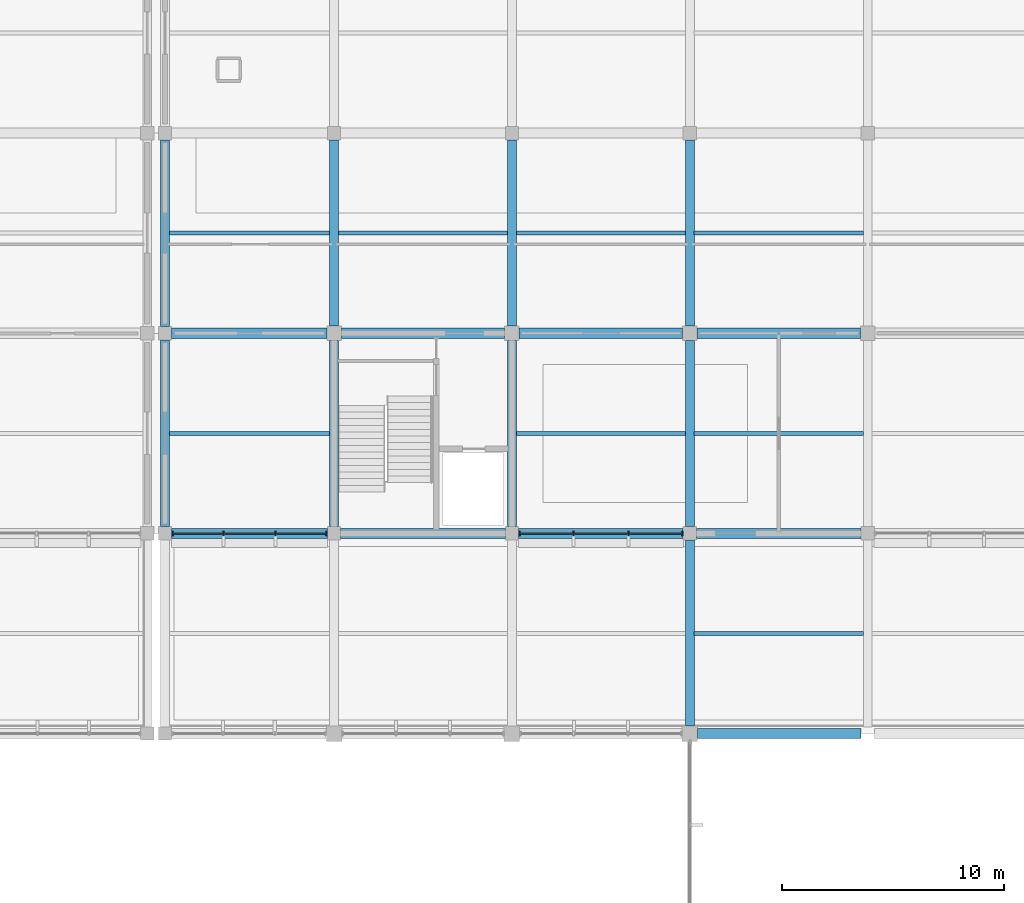
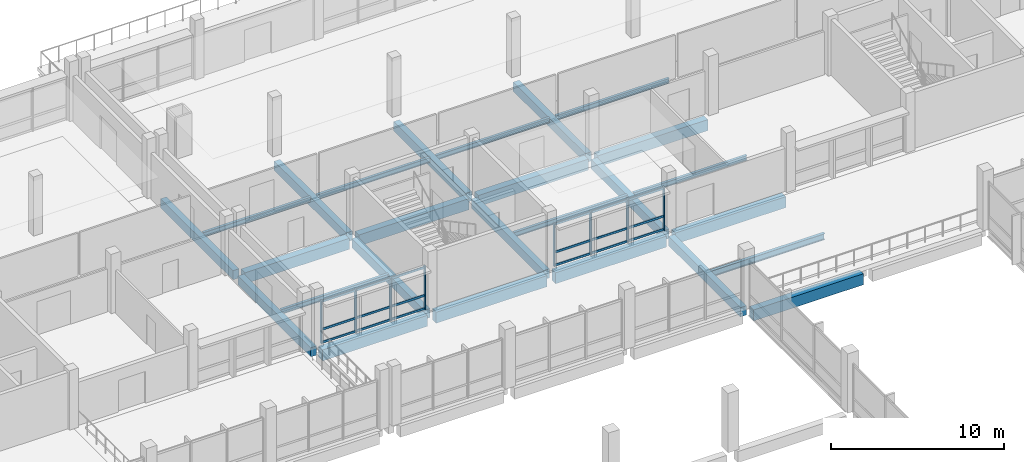
# One storey, part 24 of 70: 26 beams, 26 members, 2 elements without a shape of their own.
"""IFC4 building model written with IfcOpenShell, lengths in metres."""

from ifc_helpers import new_model, si_unit, direction, frame, origin, origin_2d, place, context, subcontext, project, spatial, rectangle, i_section, extrude, material, material_profile, profile_set, type_object, element, aggregate, save


model = new_model("IFC4")

# Units and contexts
model_context = context("Model", 3, precision=1e-05, world=origin(), true_north=direction((0.0, 1.0)))
body_context = subcontext(model_context, "Body", "Model", "MODEL_VIEW")
ifc_project = project(units=[si_unit("LENGTHUNIT", "METRE"), si_unit("AREAUNIT", "SQUARE_METRE"), si_unit("VOLUMEUNIT", "CUBIC_METRE"), si_unit("PLANEANGLEUNIT", "RADIAN"), si_unit("MASSUNIT", "GRAM", prefix="KILO"), si_unit("THERMODYNAMICTEMPERATUREUNIT", "KELVIN"), si_unit("POWERUNIT", "WATT")], contexts=[model_context])

# Site, building, storey
site_placement = place(None, origin())
site = spatial("IfcSite", under=ifc_project, at=site_placement, CompositionType="ELEMENT")
building_placement = place(site_placement, origin())
building = spatial("IfcBuilding", under=site, at=building_placement, Name="Kronsvod Quay Wholesale Market", CompositionType="ELEMENT")
storey_placement = place(building_placement, frame((0.0, 0.0, 9.0)))
storey = spatial("IfcBuildingStorey", under=building, at=storey_placement, Name="L02", CompositionType="ELEMENT", Elevation=9.0)

# Beams
ifc_material_1 = material(Name="Precast concrete C40/50", Category="concrete")
ifc_material_profile_1 = material_profile(ifc_material_1, rectangle(XDim=0.39990234375, YDim=0.64990234375, at=origin_2d()), Name="PCB400x650")
ifc_profile_set_1 = profile_set([ifc_material_profile_1], Name="Precast concrete C40/50")
beam_type_1 = type_object("IfcBeamType", Name="Beam_PCB400x650", PredefinedType="BEAM", material=ifc_profile_set_1)
for number, where, z_axis, x_axis, name in (
    (1, (64.39990234375, 99.300048828125, -0.635009765625), (0.0, 1.0, 0.0), (-1.0, 0.0, 0.0), "BMY-L02-644-990"),
    (2, (64.39990234375, 108.300048828125, -0.635009765625), (0.0, 1.0, 0.0), (-1.0, 0.0, 0.0), "BMY-L02-644-1080"),
):
    element("IfcBeam", number, at=place(storey_placement, frame(where, z_axis=z_axis, x_axis=x_axis)), inside=storey, type_object=beam_type_1, Name=name, PredefinedType="BEAM", context=body_context, shape_type="SweptSolid", body=[
        extrude(rectangle(XDim=0.39990234375, YDim=0.64990234375, at=origin_2d()), origin(), (0.0, 0.0, 1.0), 8.39990234375),
    ])
for number, where, z_axis, x_axis, name in (
    (3, (72.0, 99.300048828125, -0.635009765625), (0.0, 1.0, 0.0), (-1.0, 0.0, 0.0), "BMY-L02-720-990"),
    (4, (72.0, 108.324951171875, -0.635009765625), (0.0, 1.0, 0.0), (-1.0, 0.0, 0.0), "BMY-L02-720-1080"),
    (5, (80.0, 99.300048828125, -0.635009765625), (0.0, 1.0, 0.0), (-1.0, 0.0, 0.0), "BMY-L02-800-990"),
    (6, (80.0, 108.324951171875, -0.635009765625), (0.0, 1.0, 0.0), (-1.0, 0.0, 0.0), "BMY-L02-800-1080"),
):
    element("IfcBeam", number, at=place(storey_placement, frame(where, z_axis=z_axis, x_axis=x_axis)), inside=storey, type_object=beam_type_1, Name=name, PredefinedType="BEAM", context=body_context, shape_type="SweptSolid", body=[
        extrude(rectangle(XDim=0.39990234375, YDim=0.64990234375, at=origin_2d()), origin(), (0.0, 0.0, 1.0), 8.375),
    ])
beam_1_placement = place(storey_placement, frame((88.0, 90.35009765625, -0.635009765625), z_axis=(0.0, 1.0, 0.0), x_axis=(-1.0, 0.0, 0.0)))
element("IfcBeam", 7, at=beam_1_placement, inside=storey, type_object=beam_type_1, Name="BMY-L02-880-900", PredefinedType="BEAM", context=body_context, shape_type="SweptSolid", body=[
    extrude(rectangle(XDim=0.39990234375, YDim=0.64990234375, at=origin_2d()), origin(), (0.0, 0.0, 1.0), 8.349853515625),
])
for number, where, z_axis, x_axis, name in (
    (8, (88.0, 99.300048828125, -0.635009765625), (0.0, 1.0, 0.0), (-1.0, 0.0, 0.0), "BMY-L02-880-990"),
    (9, (88.0, 108.324951171875, -0.635009765625), (0.0, 1.0, 0.0), (-1.0, 0.0, 0.0), "BMY-L02-880-1080"),
):
    element("IfcBeam", number, at=place(storey_placement, frame(where, z_axis=z_axis, x_axis=x_axis)), inside=storey, type_object=beam_type_1, Name=name, PredefinedType="BEAM", context=body_context, shape_type="SweptSolid", body=[
        extrude(rectangle(XDim=0.39990234375, YDim=0.64990234375, at=origin_2d()), origin(), (0.0, 0.0, 1.0), 8.375),
    ])
ifc_material_2 = material(Name="Precast concrete C40/50", Category="concrete")
ifc_material_profile_2 = material_profile(ifc_material_2, rectangle(XDim=0.4599609375, YDim=0.780029296875, at=origin_2d()), Name="PB-03")
ifc_profile_set_2 = profile_set([ifc_material_profile_2], Name="Precast concrete C40/50")
beam_type_2 = type_object("IfcBeamType", Name="Beam_PCB460x780", PredefinedType="BEAM", material=ifc_profile_set_2)
beam_2_placement = place(storey_placement, frame((88.35009765625, 90.0, -0.699951171875), z_axis=(1.0, 0.0, 0.0), x_axis=(0.0, 1.0, 0.0)))
element("IfcBeam", 10, at=beam_2_placement, inside=storey, type_object=beam_type_2, Name="BMX-L02-880-900", PredefinedType="BEAM", context=body_context, shape_type="SweptSolid", body=[
    extrude(rectangle(XDim=0.4599609375, YDim=0.780029296875, at=origin_2d()), origin(), (0.0, 0.0, 1.0), 7.349853515625),
])
beam_3_placement = place(storey_placement, frame((64.699951171875, 99.0, -0.699951171875), z_axis=(1.0, 0.0, 0.0), x_axis=(0.0, 1.0, 0.0)))
element("IfcBeam", 11, at=beam_3_placement, inside=storey, type_object=beam_type_2, Name="BMX-L02-644-990", PredefinedType="BEAM", context=body_context, shape_type="SweptSolid", body=[
    extrude(rectangle(XDim=0.4599609375, YDim=0.780029296875, at=origin_2d()), origin(), (0.0, 0.0, 1.0), 7.0),
])
for number, where, z_axis, x_axis, name in (
    (12, (72.300048828125, 99.0, -0.699951171875), (1.0, 0.0, 0.0), (0.0, 1.0, 0.0), "BMX-L02-720-990"),
    (13, (80.300048828125, 99.0, -0.699951171875), (1.0, 0.0, 0.0), (0.0, 1.0, 0.0), "BMX-L02-800-990"),
    (14, (88.300048828125, 99.0, -0.699951171875), (1.0, 0.0, 0.0), (0.0, 1.0, 0.0), "BMX-L02-880-990"),
):
    element("IfcBeam", number, at=place(storey_placement, frame(where, z_axis=z_axis, x_axis=x_axis)), inside=storey, type_object=beam_type_2, Name=name, PredefinedType="BEAM", context=body_context, shape_type="SweptSolid", body=[
        extrude(rectangle(XDim=0.4599609375, YDim=0.780029296875, at=origin_2d()), origin(), (0.0, 0.0, 1.0), 7.39990234375),
    ])
beam_4_placement = place(storey_placement, frame((64.699951171875, 108.0, -0.699951171875), z_axis=(1.0, 0.0, 0.0), x_axis=(0.0, 1.0, 0.0)))
element("IfcBeam", 15, at=beam_4_placement, inside=storey, type_object=beam_type_2, Name="BMX-L02-644-1080", PredefinedType="BEAM", context=body_context, shape_type="SweptSolid", body=[
    extrude(rectangle(XDim=0.4599609375, YDim=0.780029296875, at=origin_2d()), origin(), (0.0, 0.0, 1.0), 6.97509765625),
])
for number, where, z_axis, x_axis, name in (
    (16, (72.324951171875, 108.0, -0.699951171875), (1.0, 0.0, 0.0), (0.0, 1.0, 0.0), "BMX-L02-720-1080"),
    (17, (80.324951171875, 108.0, -0.699951171875), (1.0, 0.0, 0.0), (0.0, 1.0, 0.0), "BMX-L02-800-1080"),
    (18, (88.324951171875, 108.0, -0.699951171875), (1.0, 0.0, 0.0), (0.0, 1.0, 0.0), "BMX-L02-880-1080"),
):
    element("IfcBeam", number, at=place(storey_placement, frame(where, z_axis=z_axis, x_axis=x_axis)), inside=storey, type_object=beam_type_2, Name=name, PredefinedType="BEAM", context=body_context, shape_type="SweptSolid", body=[
        extrude(rectangle(XDim=0.4599609375, YDim=0.780029296875, at=origin_2d()), origin(), (0.0, 0.0, 1.0), 7.35009765625),
    ])
ifc_material_3 = material(Name="Steel S355", Category="steel")
ifc_material_profile_3 = material_profile(ifc_material_3, i_section(OverallWidth=0.198974609375, OverallDepth=0.446044921875, WebThickness=0.008056640625, FlangeThickness=0.011962890625, FilletRadius=0.01806640625, at=origin_2d()), Name="45B1")
ifc_profile_set_3 = profile_set([ifc_material_profile_3], Name="Steel S355")
beam_type_3 = type_object("IfcBeamType", Name="Beam_Steel45B1", PredefinedType="BEAM", material=ifc_profile_set_3)
beam_5_placement = place(storey_placement, frame((88.195068359375, 94.5, -0.532958984375), z_axis=(1.0, 0.0, 0.0), x_axis=(0.0, 1.0, 0.0)))
element("IfcBeam", 19, at=beam_5_placement, inside=storey, type_object=beam_type_3, Name="JSTX-L02-880-900", PredefinedType="BEAM", context=body_context, shape_type="SweptSolid", body=[
    extrude(i_section(OverallWidth=0.198974609375, OverallDepth=0.446044921875, WebThickness=0.008056640625, FlangeThickness=0.011962890625, FilletRadius=0.01806640625, at=origin_2d()), origin(), (0.0, 0.0, 1.0), 7.60986328125),
])
ifc_material_4 = material(Name="Steel S355", Category="steel")
ifc_material_profile_4 = material_profile(ifc_material_4, i_section(OverallWidth=0.174072265625, OverallDepth=0.345947265625, WebThickness=0.006103515625, FlangeThickness=0.009033203125, FilletRadius=0.013916015625, at=origin_2d()), Name="35B1")
ifc_profile_set_4 = profile_set([ifc_material_profile_4], Name="Steel S355")
beam_type_4 = type_object("IfcBeamType", Name="Joist_Steel35B1", PredefinedType="JOIST", material=ifc_profile_set_4)
for number, where, z_axis, x_axis, name in (
    (20, (64.594970703125, 103.5, -0.423095703125), (1.0, 0.0, 0.0), (0.0, 1.0, 0.0), "JSTX-L02-644-990"),
    (21, (64.594970703125, 112.5, -0.423095703125), (1.0, 0.0, 0.0), (0.0, 1.0, 0.0), "JSTX-L02-644-1080"),
):
    element("IfcBeam", number, at=place(storey_placement, frame(where, z_axis=z_axis, x_axis=x_axis)), inside=storey, type_object=beam_type_4, Name=name, PredefinedType="JOIST", context=body_context, shape_type="SweptSolid", body=[
        extrude(i_section(OverallWidth=0.174072265625, OverallDepth=0.345947265625, WebThickness=0.006103515625, FlangeThickness=0.009033203125, FilletRadius=0.013916015625, at=origin_2d()), origin(), (0.0, 0.0, 1.0), 7.2099609375),
    ])
for number, where, z_axis, x_axis, name in (
    (22, (72.195068359375, 112.5, -0.423095703125), (1.0, 0.0, 0.0), (0.0, 1.0, 0.0), "JSTX-L02-720-1080"),
    (23, (80.195068359375, 103.5, -0.423095703125), (1.0, 0.0, 0.0), (0.0, 1.0, 0.0), "JSTX-L02-800-990"),
    (24, (80.195068359375, 112.5, -0.423095703125), (1.0, 0.0, 0.0), (0.0, 1.0, 0.0), "JSTX-L02-800-1080"),
    (25, (88.195068359375, 103.5, -0.423095703125), (1.0, 0.0, 0.0), (0.0, 1.0, 0.0), "JSTX-L02-880-990"),
    (26, (88.195068359375, 112.5, -0.423095703125), (1.0, 0.0, 0.0), (0.0, 1.0, 0.0), "JSTX-L02-880-1080"),
):
    element("IfcBeam", number, at=place(storey_placement, frame(where, z_axis=z_axis, x_axis=x_axis)), inside=storey, type_object=beam_type_4, Name=name, PredefinedType="JOIST", context=body_context, shape_type="SweptSolid", body=[
        extrude(i_section(OverallWidth=0.174072265625, OverallDepth=0.345947265625, WebThickness=0.006103515625, FlangeThickness=0.009033203125, FilletRadius=0.013916015625, at=origin_2d()), origin(), (0.0, 0.0, 1.0), 7.60986328125),
    ])

# Curtain wall, members
ifc_material_5 = material(Name="Thermally broken aluminium and triple low-E glazing", Category="aluminium")
curtain_wall_type = type_object("IfcCurtainWallType", Name="CW_Harbour80x33", PredefinedType="NOTDEFINED", material=ifc_material_5)
curtain_wall_1_placement = place(storey_placement, origin())
curtain_wall_1 = element("IfcCurtainWall", 27, at=curtain_wall_1_placement, inside=storey, type_object=curtain_wall_type, Name="CWGX-L02-644-990", PredefinedType="NOTDEFINED")
ifc_material_6 = material(Name="Anodised aluminium", Category="aluminium")
ifc_material_profile_5 = material_profile(ifc_material_6, rectangle(XDim=0.074951171875, YDim=0.199951171875, at=origin_2d()), Name="ALUM75x200")
ifc_profile_set_5 = profile_set([ifc_material_profile_5], Name="Anodised aluminium")
member_type_1 = type_object("IfcMemberType", Name="Mullion_ALU75x200", PredefinedType="MULLION", material=ifc_profile_set_5)
member_1_placement = place(storey_placement, frame((64.732421875, 99.0, 0.0), z_axis=(0.0, 0.0, 1.0), x_axis=(1.0, 0.0, 0.0)))
member_1 = element("IfcMember", 28, at=member_1_placement, type_object=member_type_1, Name="CWGX-L02-644-990-M1", PredefinedType="MULLION", context=body_context, shape_type="SweptSolid", body=[
    extrude(rectangle(XDim=0.074951171875, YDim=0.199951171875, at=origin_2d()), origin(), (0.0, 0.0, 1.0), 3.050048828125),
])
member_2_placement = place(storey_placement, frame((67.03173828125, 99.0, 0.0), z_axis=(0.0, 0.0, 1.0), x_axis=(1.0, 0.0, 0.0)))
member_2 = element("IfcMember", 29, at=member_2_placement, type_object=member_type_1, Name="CWGX-L02-644-990-M2", PredefinedType="MULLION", context=body_context, shape_type="SweptSolid", body=[
    extrude(rectangle(XDim=0.074951171875, YDim=0.199951171875, at=origin_2d()), origin(), (0.0, 0.0, 1.0), 3.050048828125),
])
member_3_placement = place(storey_placement, frame((69.368408203125, 99.0, 0.0), z_axis=(0.0, 0.0, 1.0), x_axis=(1.0, 0.0, 0.0)))
member_3 = element("IfcMember", 30, at=member_3_placement, type_object=member_type_1, Name="CWGX-L02-644-990-M3", PredefinedType="MULLION", context=body_context, shape_type="SweptSolid", body=[
    extrude(rectangle(XDim=0.074951171875, YDim=0.199951171875, at=origin_2d()), origin(), (0.0, 0.0, 1.0), 3.050048828125),
])
member_4_placement = place(storey_placement, frame((71.66748046875, 99.0, 0.0), z_axis=(0.0, 0.0, 1.0), x_axis=(1.0, 0.0, 0.0)))
member_4 = element("IfcMember", 31, at=member_4_placement, type_object=member_type_1, Name="CWGX-L02-644-990-M4", PredefinedType="MULLION", context=body_context, shape_type="SweptSolid", body=[
    extrude(rectangle(XDim=0.074951171875, YDim=0.199951171875, at=origin_2d()), origin(), (0.0, 0.0, 1.0), 3.050048828125),
])

curtain_wall_2_placement = place(storey_placement, origin())
curtain_wall_2 = element("IfcCurtainWall", 32, at=curtain_wall_2_placement, inside=storey, type_object=curtain_wall_type, Name="CWGX-L02-800-990", PredefinedType="NOTDEFINED")
member_5_placement = place(storey_placement, frame((80.33251953125, 99.0, 0.0), z_axis=(0.0, 0.0, 1.0), x_axis=(1.0, 0.0, 0.0)))
member_5 = element("IfcMember", 33, at=member_5_placement, type_object=member_type_1, Name="CWGX-L02-800-990-M1", PredefinedType="MULLION", context=body_context, shape_type="SweptSolid", body=[
    extrude(rectangle(XDim=0.074951171875, YDim=0.199951171875, at=origin_2d()), origin(), (0.0, 0.0, 1.0), 3.050048828125),
])
member_6_placement = place(storey_placement, frame((82.764892578125, 99.0, 0.0), z_axis=(0.0, 0.0, 1.0), x_axis=(1.0, 0.0, 0.0)))
member_6 = element("IfcMember", 34, at=member_6_placement, type_object=member_type_1, Name="CWGX-L02-800-990-M2", PredefinedType="MULLION", context=body_context, shape_type="SweptSolid", body=[
    extrude(rectangle(XDim=0.074951171875, YDim=0.199951171875, at=origin_2d()), origin(), (0.0, 0.0, 1.0), 3.050048828125),
])
member_7_placement = place(storey_placement, frame((85.235107421875, 99.0, 0.0), z_axis=(0.0, 0.0, 1.0), x_axis=(1.0, 0.0, 0.0)))
member_7 = element("IfcMember", 35, at=member_7_placement, type_object=member_type_1, Name="CWGX-L02-800-990-M3", PredefinedType="MULLION", context=body_context, shape_type="SweptSolid", body=[
    extrude(rectangle(XDim=0.074951171875, YDim=0.199951171875, at=origin_2d()), origin(), (0.0, 0.0, 1.0), 3.050048828125),
])
member_8_placement = place(storey_placement, frame((87.66748046875, 99.0, 0.0), z_axis=(0.0, 0.0, 1.0), x_axis=(1.0, 0.0, 0.0)))
member_8 = element("IfcMember", 36, at=member_8_placement, type_object=member_type_1, Name="CWGX-L02-800-990-M4", PredefinedType="MULLION", context=body_context, shape_type="SweptSolid", body=[
    extrude(rectangle(XDim=0.074951171875, YDim=0.199951171875, at=origin_2d()), origin(), (0.0, 0.0, 1.0), 3.050048828125),
])

# Member
ifc_material_7 = material(Name="Anodised aluminium", Category="aluminium")
ifc_material_profile_6 = material_profile(ifc_material_7, rectangle(XDim=0.074951171875, YDim=0.14990234375, at=origin_2d()), Name="ALUT75x150")
ifc_profile_set_6 = profile_set([ifc_material_profile_6], Name="Anodised aluminium")
member_type_2 = type_object("IfcMemberType", Name="Transom_ALU75x150", PredefinedType="USERDEFINED", material=ifc_profile_set_6)
member_9_placement = place(storey_placement, frame((64.77001953125, 99.0, 0.074951171875), z_axis=(1.0, 0.0, 0.0), x_axis=(0.0, 1.0, 0.0)))
member_9 = element("IfcMember", 37, at=member_9_placement, type_object=member_type_2, Name="CWGX-L02-644-990-T1B1", ObjectType="TRANSOM", PredefinedType="USERDEFINED", context=body_context, shape_type="SweptSolid", body=[
    extrude(rectangle(XDim=0.074951171875, YDim=0.14990234375, at=origin_2d()), origin(), (0.0, 0.0, 1.0), 2.22412109375),
])

member_10_placement = place(storey_placement, frame((67.069091796875, 99.0, 0.074951171875), z_axis=(1.0, 0.0, 0.0), x_axis=(0.0, 1.0, 0.0)))
member_10 = element("IfcMember", 38, at=member_10_placement, type_object=member_type_2, Name="CWGX-L02-644-990-T1B2", ObjectType="TRANSOM", PredefinedType="USERDEFINED", context=body_context, shape_type="SweptSolid", body=[
    extrude(rectangle(XDim=0.074951171875, YDim=0.14990234375, at=origin_2d()), origin(), (0.0, 0.0, 1.0), 2.26171875),
])

member_11_placement = place(storey_placement, frame((69.40576171875, 99.0, 0.074951171875), z_axis=(1.0, 0.0, 0.0), x_axis=(0.0, 1.0, 0.0)))
member_11 = element("IfcMember", 39, at=member_11_placement, type_object=member_type_2, Name="CWGX-L02-644-990-T1B3", ObjectType="TRANSOM", PredefinedType="USERDEFINED", context=body_context, shape_type="SweptSolid", body=[
    extrude(rectangle(XDim=0.074951171875, YDim=0.14990234375, at=origin_2d()), origin(), (0.0, 0.0, 1.0), 2.22412109375),
])

member_12_placement = place(storey_placement, frame((64.77001953125, 99.0, 1.0), z_axis=(1.0, 0.0, 0.0), x_axis=(0.0, 1.0, 0.0)))
member_12 = element("IfcMember", 40, at=member_12_placement, type_object=member_type_2, Name="CWGX-L02-644-990-T2B1", ObjectType="TRANSOM", PredefinedType="USERDEFINED", context=body_context, shape_type="SweptSolid", body=[
    extrude(rectangle(XDim=0.074951171875, YDim=0.14990234375, at=origin_2d()), origin(), (0.0, 0.0, 1.0), 2.22412109375),
])

member_13_placement = place(storey_placement, frame((67.069091796875, 99.0, 1.0), z_axis=(1.0, 0.0, 0.0), x_axis=(0.0, 1.0, 0.0)))
member_13 = element("IfcMember", 41, at=member_13_placement, type_object=member_type_2, Name="CWGX-L02-644-990-T2B2", ObjectType="TRANSOM", PredefinedType="USERDEFINED", context=body_context, shape_type="SweptSolid", body=[
    extrude(rectangle(XDim=0.074951171875, YDim=0.14990234375, at=origin_2d()), origin(), (0.0, 0.0, 1.0), 2.26171875),
])

member_14_placement = place(storey_placement, frame((69.40576171875, 99.0, 1.0), z_axis=(1.0, 0.0, 0.0), x_axis=(0.0, 1.0, 0.0)))
member_14 = element("IfcMember", 42, at=member_14_placement, type_object=member_type_2, Name="CWGX-L02-644-990-T2B3", ObjectType="TRANSOM", PredefinedType="USERDEFINED", context=body_context, shape_type="SweptSolid", body=[
    extrude(rectangle(XDim=0.074951171875, YDim=0.14990234375, at=origin_2d()), origin(), (0.0, 0.0, 1.0), 2.22412109375),
])

member_15_placement = place(storey_placement, frame((64.77001953125, 99.0, 2.97509765625), z_axis=(1.0, 0.0, 0.0), x_axis=(0.0, 1.0, 0.0)))
member_15 = element("IfcMember", 43, at=member_15_placement, type_object=member_type_2, Name="CWGX-L02-644-990-T3B1", ObjectType="TRANSOM", PredefinedType="USERDEFINED", context=body_context, shape_type="SweptSolid", body=[
    extrude(rectangle(XDim=0.074951171875, YDim=0.14990234375, at=origin_2d()), origin(), (0.0, 0.0, 1.0), 2.22412109375),
])

member_16_placement = place(storey_placement, frame((67.069091796875, 99.0, 2.97509765625), z_axis=(1.0, 0.0, 0.0), x_axis=(0.0, 1.0, 0.0)))
member_16 = element("IfcMember", 44, at=member_16_placement, type_object=member_type_2, Name="CWGX-L02-644-990-T3B2", ObjectType="TRANSOM", PredefinedType="USERDEFINED", context=body_context, shape_type="SweptSolid", body=[
    extrude(rectangle(XDim=0.074951171875, YDim=0.14990234375, at=origin_2d()), origin(), (0.0, 0.0, 1.0), 2.26171875),
])

member_17_placement = place(storey_placement, frame((69.40576171875, 99.0, 2.97509765625), z_axis=(1.0, 0.0, 0.0), x_axis=(0.0, 1.0, 0.0)))
member_17 = element("IfcMember", 45, at=member_17_placement, type_object=member_type_2, Name="CWGX-L02-644-990-T3B3", ObjectType="TRANSOM", PredefinedType="USERDEFINED", context=body_context, shape_type="SweptSolid", body=[
    extrude(rectangle(XDim=0.074951171875, YDim=0.14990234375, at=origin_2d()), origin(), (0.0, 0.0, 1.0), 2.22412109375),
])

aggregate(curtain_wall_1, [member_1, member_2, member_3, member_4, member_9, member_10, member_11, member_12, member_13, member_14, member_15, member_16, member_17])

member_18_placement = place(storey_placement, frame((80.3701171875, 99.0, 0.074951171875), z_axis=(1.0, 0.0, 0.0), x_axis=(0.0, 1.0, 0.0)))
member_18 = element("IfcMember", 46, at=member_18_placement, type_object=member_type_2, Name="CWGX-L02-800-990-T1B1", ObjectType="TRANSOM", PredefinedType="USERDEFINED", context=body_context, shape_type="SweptSolid", body=[
    extrude(rectangle(XDim=0.074951171875, YDim=0.14990234375, at=origin_2d()), origin(), (0.0, 0.0, 1.0), 2.357421875),
])

member_19_placement = place(storey_placement, frame((82.802490234375, 99.0, 0.074951171875), z_axis=(1.0, 0.0, 0.0), x_axis=(0.0, 1.0, 0.0)))
member_19 = element("IfcMember", 47, at=member_19_placement, type_object=member_type_2, Name="CWGX-L02-800-990-T1B2", ObjectType="TRANSOM", PredefinedType="USERDEFINED", context=body_context, shape_type="SweptSolid", body=[
    extrude(rectangle(XDim=0.074951171875, YDim=0.14990234375, at=origin_2d()), origin(), (0.0, 0.0, 1.0), 2.39501953125),
])

member_20_placement = place(storey_placement, frame((85.2724609375, 99.0, 0.074951171875), z_axis=(1.0, 0.0, 0.0), x_axis=(0.0, 1.0, 0.0)))
member_20 = element("IfcMember", 48, at=member_20_placement, type_object=member_type_2, Name="CWGX-L02-800-990-T1B3", ObjectType="TRANSOM", PredefinedType="USERDEFINED", context=body_context, shape_type="SweptSolid", body=[
    extrude(rectangle(XDim=0.074951171875, YDim=0.14990234375, at=origin_2d()), origin(), (0.0, 0.0, 1.0), 2.357421875),
])

member_21_placement = place(storey_placement, frame((80.3701171875, 99.0, 1.0), z_axis=(1.0, 0.0, 0.0), x_axis=(0.0, 1.0, 0.0)))
member_21 = element("IfcMember", 49, at=member_21_placement, type_object=member_type_2, Name="CWGX-L02-800-990-T2B1", ObjectType="TRANSOM", PredefinedType="USERDEFINED", context=body_context, shape_type="SweptSolid", body=[
    extrude(rectangle(XDim=0.074951171875, YDim=0.14990234375, at=origin_2d()), origin(), (0.0, 0.0, 1.0), 2.357421875),
])

member_22_placement = place(storey_placement, frame((82.802490234375, 99.0, 1.0), z_axis=(1.0, 0.0, 0.0), x_axis=(0.0, 1.0, 0.0)))
member_22 = element("IfcMember", 50, at=member_22_placement, type_object=member_type_2, Name="CWGX-L02-800-990-T2B2", ObjectType="TRANSOM", PredefinedType="USERDEFINED", context=body_context, shape_type="SweptSolid", body=[
    extrude(rectangle(XDim=0.074951171875, YDim=0.14990234375, at=origin_2d()), origin(), (0.0, 0.0, 1.0), 2.39501953125),
])

member_23_placement = place(storey_placement, frame((85.2724609375, 99.0, 1.0), z_axis=(1.0, 0.0, 0.0), x_axis=(0.0, 1.0, 0.0)))
member_23 = element("IfcMember", 51, at=member_23_placement, type_object=member_type_2, Name="CWGX-L02-800-990-T2B3", ObjectType="TRANSOM", PredefinedType="USERDEFINED", context=body_context, shape_type="SweptSolid", body=[
    extrude(rectangle(XDim=0.074951171875, YDim=0.14990234375, at=origin_2d()), origin(), (0.0, 0.0, 1.0), 2.357421875),
])

member_24_placement = place(storey_placement, frame((80.3701171875, 99.0, 2.97509765625), z_axis=(1.0, 0.0, 0.0), x_axis=(0.0, 1.0, 0.0)))
member_24 = element("IfcMember", 52, at=member_24_placement, type_object=member_type_2, Name="CWGX-L02-800-990-T3B1", ObjectType="TRANSOM", PredefinedType="USERDEFINED", context=body_context, shape_type="SweptSolid", body=[
    extrude(rectangle(XDim=0.074951171875, YDim=0.14990234375, at=origin_2d()), origin(), (0.0, 0.0, 1.0), 2.357421875),
])

member_25_placement = place(storey_placement, frame((82.802490234375, 99.0, 2.97509765625), z_axis=(1.0, 0.0, 0.0), x_axis=(0.0, 1.0, 0.0)))
member_25 = element("IfcMember", 53, at=member_25_placement, type_object=member_type_2, Name="CWGX-L02-800-990-T3B2", ObjectType="TRANSOM", PredefinedType="USERDEFINED", context=body_context, shape_type="SweptSolid", body=[
    extrude(rectangle(XDim=0.074951171875, YDim=0.14990234375, at=origin_2d()), origin(), (0.0, 0.0, 1.0), 2.39501953125),
])

member_26_placement = place(storey_placement, frame((85.2724609375, 99.0, 2.97509765625), z_axis=(1.0, 0.0, 0.0), x_axis=(0.0, 1.0, 0.0)))
member_26 = element("IfcMember", 54, at=member_26_placement, type_object=member_type_2, Name="CWGX-L02-800-990-T3B3", ObjectType="TRANSOM", PredefinedType="USERDEFINED", context=body_context, shape_type="SweptSolid", body=[
    extrude(rectangle(XDim=0.074951171875, YDim=0.14990234375, at=origin_2d()), origin(), (0.0, 0.0, 1.0), 2.357421875),
])

aggregate(curtain_wall_2, [member_5, member_6, member_7, member_8, member_18, member_19, member_20, member_21, member_22, member_23, member_24, member_25, member_26])

save(model, "model.ifc")
